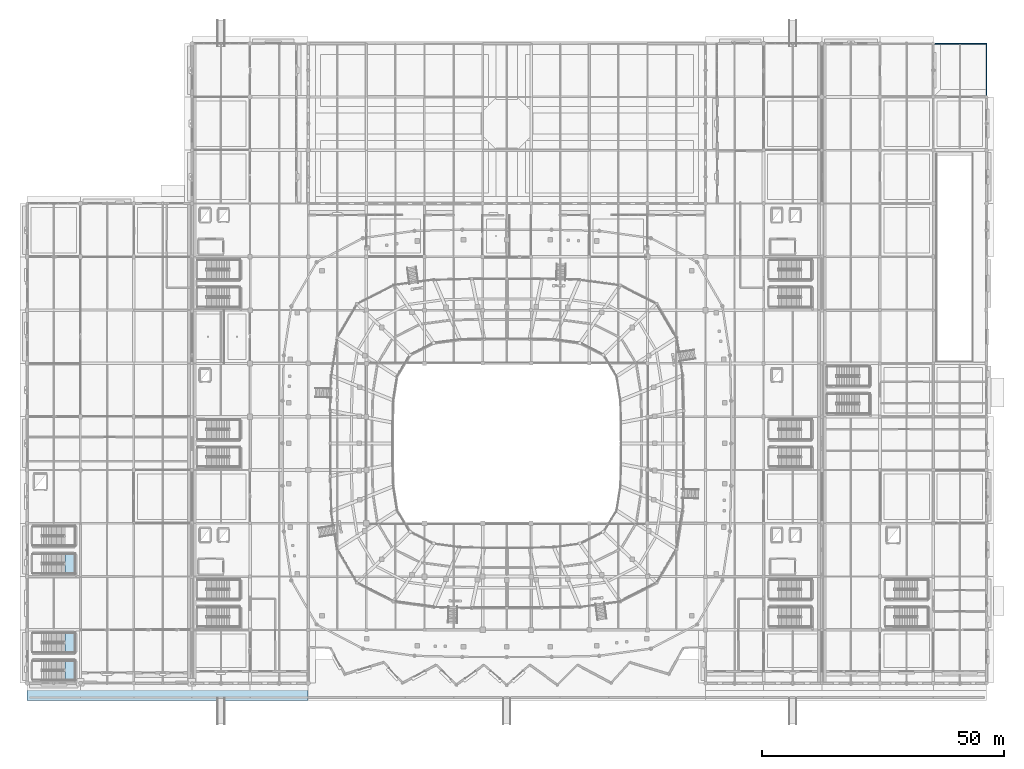
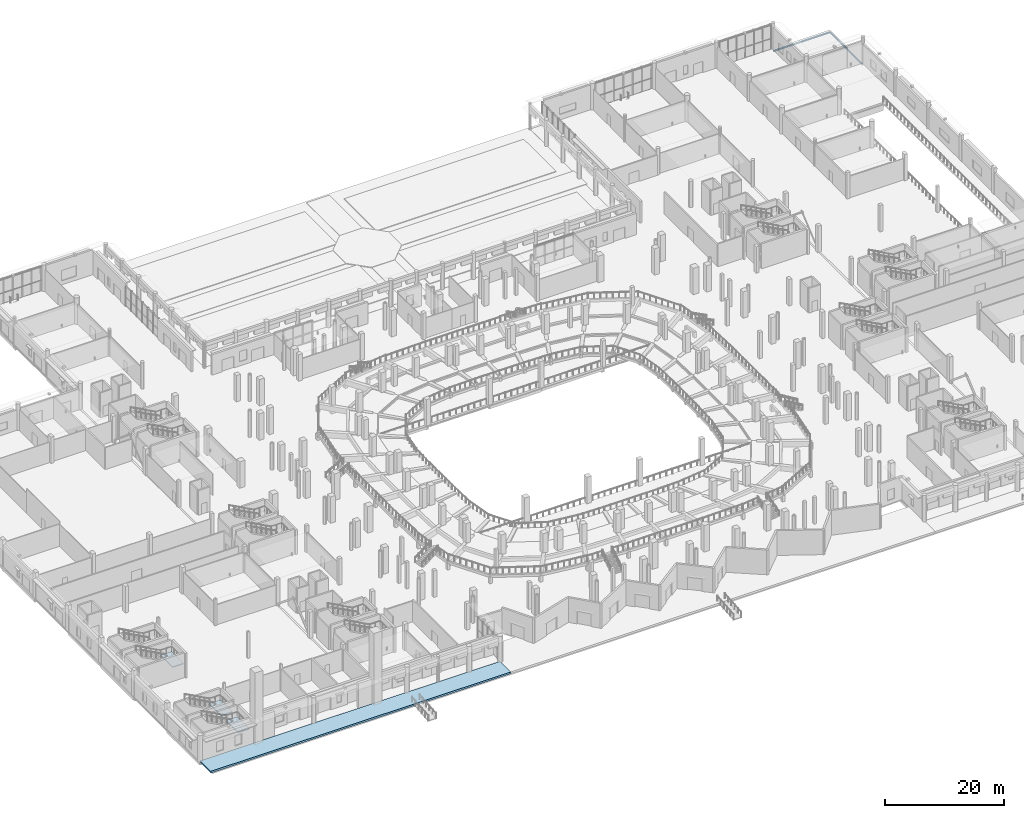
# One storey, part 42 of 120: 4 slabs, 2 beams, 3 elements without a shape of their own.
"""IFC4 building model written with IfcOpenShell, lengths in metres."""

from ifc_helpers import new_model, si_unit, direction, frame, origin, origin_2d, place, context, subcontext, project, spatial, polyline, i_section, outline, extrude, material, layer, layer_set, material_profile, profile_set, type_object, element, aggregate, save


model = new_model("IFC4")

# Units and contexts
model_context = context("Model", 3, precision=1e-05, world=origin(), true_north=direction((0.0, 1.0)))
body_context = subcontext(model_context, "Body", "Model", "MODEL_VIEW")
ifc_project = project(units=[si_unit("LENGTHUNIT", "METRE"), si_unit("AREAUNIT", "SQUARE_METRE"), si_unit("VOLUMEUNIT", "CUBIC_METRE"), si_unit("PLANEANGLEUNIT", "RADIAN"), si_unit("MASSUNIT", "GRAM", prefix="KILO")], contexts=[model_context])

# Site, building, storey
site_placement = place(None, origin())
site = spatial("IfcSite", under=ifc_project, at=site_placement, CompositionType="ELEMENT")
building_placement = place(site_placement, origin())
building = spatial("IfcBuilding", under=site, at=building_placement, Name="Luwafu Chhajja Arena", CompositionType="ELEMENT")
storey_placement = place(building_placement, origin())
storey = spatial("IfcBuildingStorey", under=building, at=storey_placement, Name="L00", CompositionType="ELEMENT", Elevation=0.0)

# Beams
ifc_material_1 = material(Name="Steel S355", Category="steel")
ifc_material_profile = material_profile(ifc_material_1, i_section(OverallWidth=0.165771484375, OverallDepth=0.306640625, WebThickness=0.006591796875, FlangeThickness=0.01171875, at=origin_2d()), Name="UB 305x165x46")
ifc_profile_set = profile_set([ifc_material_profile], Name="Steel S355")
beam_type = type_object("IfcBeamType", Name="Concourse Edge Spandrel Beam UB 305x165x46", PredefinedType="SPANDREL", material=ifc_profile_set)
for number, where, z_axis, x_axis, name in (
    (1, (187.0, 132.0, -0.50341796875), (1.0, 0.0, 0.0), (0.0, 1.0, 0.0), "L00 Grid Beam 17-18/N"),
    (2, (198.0, 121.0, -0.50341796875), (0.0, 1.0, 0.0), (-1.0, 0.0, 0.0), "L00 Grid Beam 18/M-N"),
):
    element("IfcBeam", number, at=place(storey_placement, frame(where, z_axis=z_axis, x_axis=x_axis)), inside=storey, type_object=beam_type, Name=name, PredefinedType="SPANDREL", context=body_context, shape_type="SweptSolid", body=[
        extrude(i_section(OverallWidth=0.165771484375, OverallDepth=0.306640625, WebThickness=0.006591796875, FlangeThickness=0.01171875, at=origin_2d()), origin(), (0.0, 0.0, 1.0), 11.0),
    ])

# Stair, slab
ifc_material_2 = material(Name="Concrete C35/45", Category="concrete")
stair_type = type_object("IfcStairType", Name="Wing Protected Dog-Leg Stair 1900", PredefinedType="HALF_TURN_STAIR", material=ifc_material_2)
stair_1_placement = place(storey_placement, origin())
stair_1 = element("IfcStair", 3, at=stair_1_placement, inside=storey, type_object=stair_type, Name="L00 Protected Escape Stair ST-13", PredefinedType="HALF_TURN_STAIR")
ifc_layer_1 = layer(ifc_material_2, 0.199951171875, Name="Concrete C35/45")
ifc_layer_set_1 = layer_set([ifc_layer_1], Name="Concrete C35/45")
slab_type_1 = type_object("IfcSlabType", Name="Escape Stair Landing Slab 200", PredefinedType="LANDING", material=ifc_layer_set_1)
slab_1_placement = place(storey_placement, frame((0.0, 0.0, 2.5)))
slab_1 = element("IfcSlab", 4, at=slab_1_placement, type_object=slab_type_1, Name="ST-13 landing 1", PredefinedType="LANDING", context=body_context, shape_type="SweptSolid", body=[
    extrude(outline(polyline([(7.760009765625, 22.64990234375), (9.89990234375, 22.64990234375), (9.89990234375, 26.64990234375), (7.760009765625, 26.64990234375), (7.760009765625, 22.64990234375)])), origin(), (0.0, 0.0, 1.0), 0.199951171875),
])
aggregate(stair_1, [slab_1])

stair_2_placement = place(storey_placement, origin())
stair_2 = element("IfcStair", 5, at=stair_2_placement, inside=storey, type_object=stair_type, Name="L00 Protected Escape Stair ST-17", PredefinedType="HALF_TURN_STAIR")
slab_2_placement = place(storey_placement, frame((0.0, 0.0, 2.5)))
slab_2 = element("IfcSlab", 6, at=slab_2_placement, type_object=slab_type_1, Name="ST-17 landing 1", PredefinedType="LANDING", context=body_context, shape_type="SweptSolid", body=[
    extrude(outline(polyline([(7.760009765625, 0.64990234375), (9.89990234375, 0.64990234375), (9.89990234375, 4.64990234375), (7.760009765625, 4.64990234375), (7.760009765625, 0.64990234375)])), origin(), (0.0, 0.0, 1.0), 0.199951171875),
])
aggregate(stair_2, [slab_2])

stair_3_placement = place(storey_placement, origin())
stair_3 = element("IfcStair", 7, at=stair_3_placement, inside=storey, type_object=stair_type, Name="L00 Protected Escape Stair ST-18", PredefinedType="HALF_TURN_STAIR")
slab_3_placement = place(storey_placement, frame((0.0, 0.0, 2.5)))
slab_3 = element("IfcSlab", 8, at=slab_3_placement, type_object=slab_type_1, Name="ST-18 landing 1", PredefinedType="LANDING", context=body_context, shape_type="SweptSolid", body=[
    extrude(outline(polyline([(7.760009765625, 6.35009765625), (9.89990234375, 6.35009765625), (9.89990234375, 10.35009765625), (7.760009765625, 10.35009765625), (7.760009765625, 6.35009765625)])), origin(), (0.0, 0.0, 1.0), 0.199951171875),
])
aggregate(stair_3, [slab_3])

# Slab
ifc_layer_2 = layer(ifc_material_2, 0.35009765625, Name="Concrete C35/45")
ifc_layer_set_2 = layer_set([ifc_layer_2], Name="Concrete C35/45")
slab_type_2 = type_object("IfcSlabType", Name="Service Apron Paving Slab 350", PredefinedType="BASESLAB", material=ifc_layer_set_2)
slab_4_placement = place(storey_placement, frame((0.0, 0.0, -0.35009765625)))
element("IfcSlab", 9, at=slab_4_placement, inside=storey, type_object=slab_type_2, Name="L00 Luwafu Forecourt Arrival Plaza 1", PredefinedType="BASESLAB", context=body_context, shape_type="SweptSolid", body=[
    extrude(outline(polyline([(58.0, -3.60009765625), (0.0, -3.60009765625), (0.0, -0.0048828125), (58.0, -0.0048828125), (58.0, -3.60009765625)])), origin(), (0.0, 0.0, 1.0), 0.35009765625),
])

save(model, "model.ifc")
